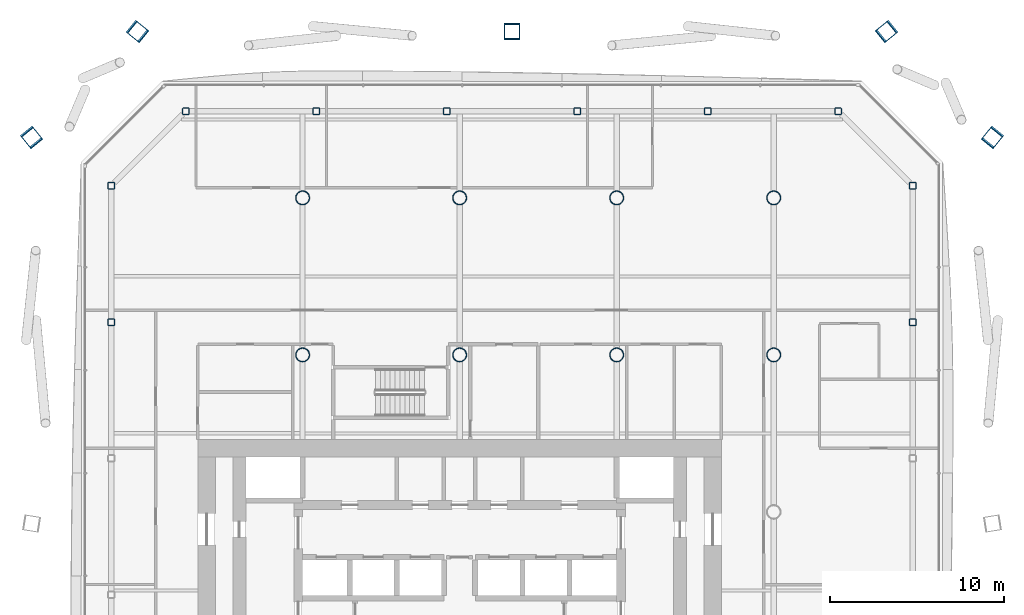
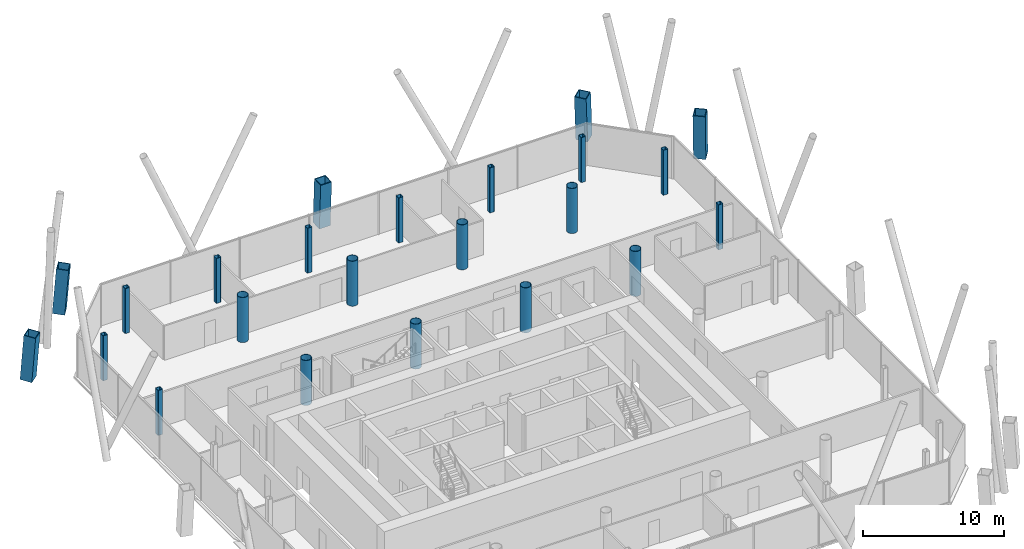
# One storey, part 2 of 22: 23 columns.
"""IFC4 building model written with IfcOpenShell, lengths in metres."""

from ifc_helpers import new_model, si_unit, direction, frame, origin, origin_2d, place, context, subcontext, project, spatial, hollow_rectangle, hollow_circle, extrude, material, material_profile, profile_set, type_object, element, save


model = new_model("IFC4")

# Units and contexts
model_context = context("Model", 3, precision=1e-05, world=origin(), true_north=direction((0.0, 1.0)))
body_context = subcontext(model_context, "Body", "Model", "MODEL_VIEW")
ifc_project = project(units=[si_unit("LENGTHUNIT", "METRE"), si_unit("AREAUNIT", "SQUARE_METRE"), si_unit("VOLUMEUNIT", "CUBIC_METRE"), si_unit("PLANEANGLEUNIT", "RADIAN"), si_unit("MASSUNIT", "GRAM", prefix="KILO")], contexts=[model_context])

# Site, building, storey
site_placement = place(None, origin())
site = spatial("IfcSite", under=ifc_project, at=site_placement, CompositionType="ELEMENT")
building_placement = place(site_placement, origin())
building = spatial("IfcBuilding", under=site, at=building_placement, Name="Tskaro Facet Tower", CompositionType="ELEMENT")
storey_placement = place(building_placement, frame((0.0, 0.0, 85.5)))
storey = spatial("IfcBuildingStorey", under=building, at=storey_placement, Name="L20", CompositionType="ELEMENT", Elevation=85.5)

# Columns
ifc_material_1 = material(Name="Steel S460M", Category="steel")
ifc_material_profile_1 = material_profile(ifc_material_1, hollow_rectangle(XDim=0.89990234375, YDim=0.89990234375, WallThickness=0.054931640625, at=origin_2d()), Name="BOX 900x900x55")
ifc_profile_set_1 = profile_set([ifc_material_profile_1], Name="Steel S460M")
column_type_1 = type_object("IfcColumnType", Name="BOX 900x900x55 mega column", PredefinedType="COLUMN", material=ifc_profile_set_1)
for number, where, z_axis, x_axis, name in (
    (1, (30.56298828125, 21.5, 0.0), (-0.046821200064, -0.057808575012, 0.997229133088), (0.777088504756, -0.629391337545, 0.0), "BOX 900x900x55 MC06/2"),
    (2, (24.5, 27.56298828125, 0.0), (-0.057808575012, -0.046821200064, 0.997229133088), (0.629391337545, -0.777088504756, 0.0), "BOX 900x900x55 MC07/2"),
):
    element("IfcColumn", number, at=place(storey_placement, frame(where, z_axis=z_axis, x_axis=x_axis)), inside=storey, type_object=column_type_1, Name=name, PredefinedType="COLUMN", context=body_context, shape_type="SweptSolid", body=[
        extrude(hollow_rectangle(XDim=0.89990234375, YDim=0.89990234375, WallThickness=0.054931640625, at=origin_2d()), origin(), (0.0, 0.0, 1.0), 3.91064453125),
    ])
column_placement = place(storey_placement, frame((3.0, 27.56298828125, 0.0), z_axis=(0.0, -0.046899630973, 0.998899606875), x_axis=(1.0, 0.0, 0.0)))
element("IfcColumn", 3, at=column_placement, inside=storey, type_object=column_type_1, Name="BOX 900x900x55 MC08/2", PredefinedType="COLUMN", context=body_context, shape_type="SweptSolid", body=[
    extrude(hollow_rectangle(XDim=0.89990234375, YDim=0.89990234375, WallThickness=0.054931640625, at=origin_2d()), origin(), (0.0, 0.0, 1.0), 3.904296875),
])
for number, where, z_axis, x_axis, name in (
    (4, (-18.5, 27.56298828125, 0.0), (0.057808575012, -0.046821200064, 0.997229133088), (0.629391337545, 0.777088504756, 0.0), "BOX 900x900x55 MC09/2"),
    (5, (-24.56298828125, 21.5, 0.0), (0.046821200064, -0.057808575012, 0.997229133088), (0.777088504756, 0.629391337545, 0.0), "BOX 900x900x55 MC10/2"),
):
    element("IfcColumn", number, at=place(storey_placement, frame(where, z_axis=z_axis, x_axis=x_axis)), inside=storey, type_object=column_type_1, Name=name, PredefinedType="COLUMN", context=body_context, shape_type="SweptSolid", body=[
        extrude(hollow_rectangle(XDim=0.89990234375, YDim=0.89990234375, WallThickness=0.054931640625, at=origin_2d()), origin(), (0.0, 0.0, 1.0), 3.91064453125),
    ])
ifc_material_2 = material(Name="Steel S355J2H", Category="steel")
ifc_material_profile_2 = material_profile(ifc_material_2, hollow_circle(Radius=0.406494140625, WallThickness=0.035888671875, at=origin_2d()), Name="CHS 812.8x36")
ifc_profile_set_2 = profile_set([ifc_material_profile_2], Name="Steel S355J2H")
column_type_2 = type_object("IfcColumnType", Name="CHS 812.8x36 interior column", PredefinedType="COLUMN", material=ifc_profile_set_2)
for number, where, z_axis, x_axis, name in (
    (6, (-9.0, 9.0, 0.0), (0.0, 0.0, 1.0), (1.0, 0.0, 0.0), "CHS 812.8x36 C3E/2"),
    (7, (-9.0, 18.0, 0.0), (0.0, 0.0, 1.0), (1.0, 0.0, 0.0), "CHS 812.8x36 C3F/2"),
    (8, (0.0, 9.0, 0.0), (0.0, 0.0, 1.0), (1.0, 0.0, 0.0), "CHS 812.8x36 C4E/2"),
    (9, (0.0, 18.0, 0.0), (0.0, 0.0, 1.0), (1.0, 0.0, 0.0), "CHS 812.8x36 C4F/2"),
    (10, (9.0, 9.0, 0.0), (0.0, 0.0, 1.0), (1.0, 0.0, 0.0), "CHS 812.8x36 C5E/2"),
    (11, (9.0, 18.0, 0.0), (0.0, 0.0, 1.0), (1.0, 0.0, 0.0), "CHS 812.8x36 C5F/2"),
    (12, (18.0, 9.0, 0.0), (0.0, 0.0, 1.0), (1.0, 0.0, 0.0), "CHS 812.8x36 C6E/2"),
    (13, (18.0, 18.0, 0.0), (0.0, 0.0, 1.0), (1.0, 0.0, 0.0), "CHS 812.8x36 C6F/2"),
):
    element("IfcColumn", number, at=place(storey_placement, frame(where, z_axis=z_axis, x_axis=x_axis)), inside=storey, type_object=column_type_2, Name=name, PredefinedType="COLUMN", context=body_context, shape_type="SweptSolid", body=[
        extrude(hollow_circle(Radius=0.406494140625, WallThickness=0.035888671875, at=origin_2d()), origin(), (0.0, 0.0, 1.0), 3.89990234375),
    ])
ifc_material_profile_3 = material_profile(ifc_material_2, hollow_rectangle(XDim=0.39990234375, YDim=0.39990234375, WallThickness=0.02490234375, InnerFilletRadius=0.03759765625, OuterFilletRadius=0.0625, at=origin_2d()), Name="SHS 400x400x25")
ifc_profile_set_3 = profile_set([ifc_material_profile_3], Name="Steel S355J2H")
column_type_3 = type_object("IfcColumnType", Name="SHS 400x400x25 ring column", PredefinedType="COLUMN", material=ifc_profile_set_3)
for number, where, z_axis, x_axis, name in (
    (14, (25.965087890625, 10.87890625, 0.0), (0.0, 0.0, 1.0), (1.0, 0.0, 0.0), "SHS 400x400x25 RE-5/2"),
    (15, (25.965087890625, 18.68994140625, 0.0), (0.0, 0.0, 1.0), (1.0, 0.0, 0.0), "SHS 400x400x25 RNE-1/2"),
    (16, (21.68994140625, 22.965087890625, 0.0), (0.0, 0.0, 1.0), (1.0, 0.0, 0.0), "SHS 400x400x25 RN-1/2"),
    (17, (14.214111328125, 22.965087890625, 0.0), (0.0, 0.0, 1.0), (1.0, 0.0, 0.0), "SHS 400x400x25 RN-2/2"),
    (18, (6.738037109375, 22.965087890625, 0.0), (0.0, 0.0, 1.0), (1.0, 0.0, 0.0), "SHS 400x400x25 RN-3/2"),
    (19, (-0.738037109375, 22.965087890625, 0.0), (0.0, 0.0, 1.0), (1.0, 0.0, 0.0), "SHS 400x400x25 RN-4/2"),
    (20, (-8.214111328125, 22.965087890625, 0.0), (0.0, 0.0, 1.0), (1.0, 0.0, 0.0), "SHS 400x400x25 RN-5/2"),
    (21, (-15.68994140625, 22.965087890625, 0.0), (0.0, 0.0, 1.0), (1.0, 0.0, 0.0), "SHS 400x400x25 RNW-1/2"),
    (22, (-19.965087890625, 18.68994140625, 0.0), (0.0, 0.0, 1.0), (1.0, 0.0, 0.0), "SHS 400x400x25 RW-1/2"),
    (23, (-19.965087890625, 10.87890625, 0.0), (0.0, 0.0, 1.0), (1.0, 0.0, 0.0), "SHS 400x400x25 RW-2/2"),
):
    element("IfcColumn", number, at=place(storey_placement, frame(where, z_axis=z_axis, x_axis=x_axis)), inside=storey, type_object=column_type_3, Name=name, PredefinedType="COLUMN", context=body_context, shape_type="SweptSolid", body=[
        extrude(hollow_rectangle(XDim=0.39990234375, YDim=0.39990234375, WallThickness=0.02490234375, InnerFilletRadius=0.03759765625, OuterFilletRadius=0.0625, at=origin_2d()), origin(), (0.0, 0.0, 1.0), 3.89990234375),
    ])

save(model, "model.ifc")
